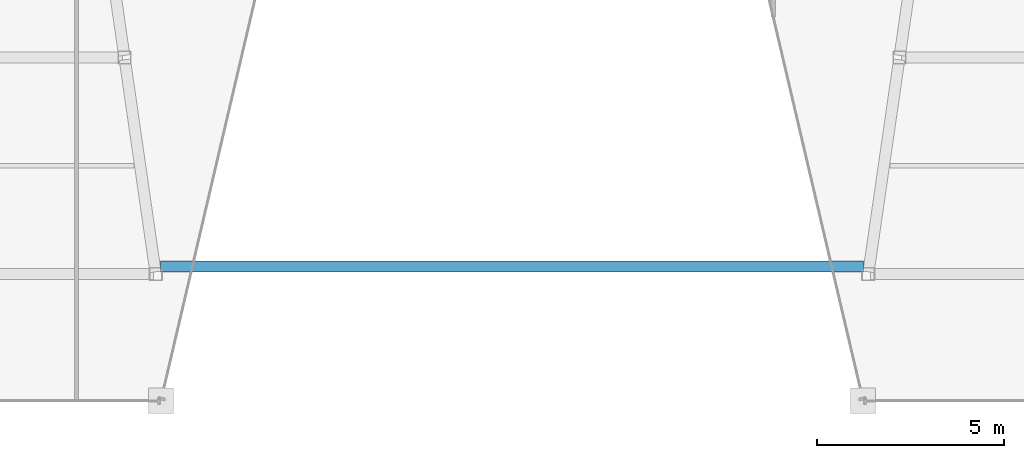
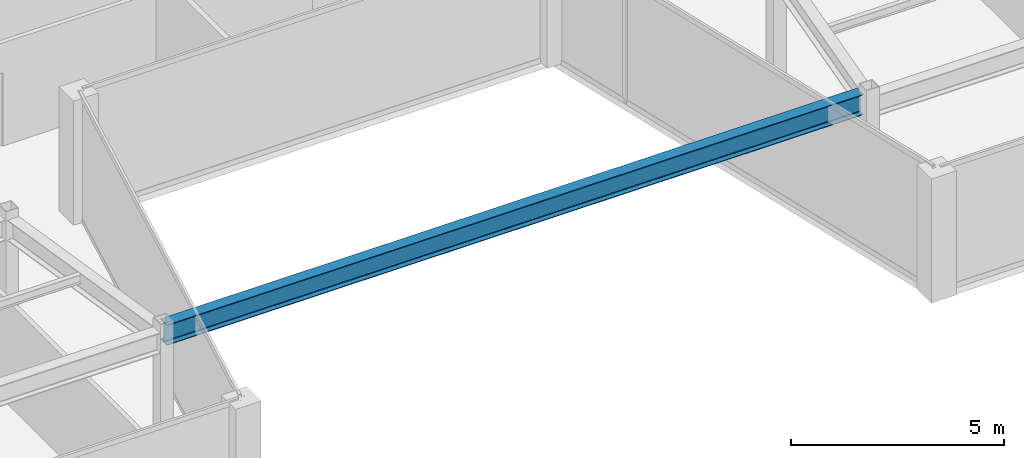
# One storey, part 7 of 32: 1 beam.
"""IFC4 building model written with IfcOpenShell, lengths in metres."""

from ifc_helpers import new_model, si_unit, direction, frame, origin, origin_2d, place, context, subcontext, project, spatial, i_section, extrude, material, material_profile, profile_set, type_object, element, save


model = new_model("IFC4")

# Units and contexts
model_context = context("Model", 3, precision=1e-05, world=origin(), true_north=direction((0.0, 1.0)))
body_context = subcontext(model_context, "Body", "Model", "MODEL_VIEW")
ifc_project = project(units=[si_unit("LENGTHUNIT", "METRE"), si_unit("AREAUNIT", "SQUARE_METRE"), si_unit("VOLUMEUNIT", "CUBIC_METRE"), si_unit("PLANEANGLEUNIT", "RADIAN"), si_unit("MASSUNIT", "GRAM", prefix="KILO")], contexts=[model_context])

# Site, building, storey
site_placement = place(None, origin())
site = spatial("IfcSite", under=ifc_project, at=site_placement, CompositionType="ELEMENT")
building_placement = place(site_placement, origin())
building = spatial("IfcBuilding", under=site, at=building_placement, Name="Saevonmaru Cultural Tower", CompositionType="ELEMENT")
storey_placement = place(building_placement, frame((0.0, 0.0, 268.60009765625)))
storey = spatial("IfcBuildingStorey", under=building, at=storey_placement, Name="L63", CompositionType="ELEMENT", Elevation=268.60009765625)

# Beam
ifc_material = material(Name="Steel SM355", Category="steel")
ifc_material_profile = material_profile(ifc_material, i_section(OverallWidth=0.300048828125, OverallDepth=0.587890625, WebThickness=0.011962890625, FlangeThickness=0.02001953125, FilletRadius=0.02392578125, at=origin_2d()), Name="H-588x300x12x20")
ifc_profile_set = profile_set([ifc_material_profile], Name="Steel SM355")
beam_type = type_object("IfcBeamType", Name="BM-G-H588", PredefinedType="BEAM", material=ifc_profile_set)
beam_placement = place(storey_placement, frame((20.5830078125, 26.39990234375, 3.255859375), z_axis=(1.0, 0.0, 0.0), x_axis=(0.0, 1.0, 0.0)))
element("IfcBeam", 1, at=beam_placement, inside=storey, type_object=beam_type, Name="L63 Central Link Girder", PredefinedType="BEAM", context=body_context, shape_type="SweptSolid", body=[
    extrude(i_section(OverallWidth=0.300048828125, OverallDepth=0.587890625, WebThickness=0.011962890625, FlangeThickness=0.02001953125, FilletRadius=0.02392578125, at=origin_2d()), origin(), (0.0, 0.0, 1.0), 18.833984375),
])

save(model, "model.ifc")
